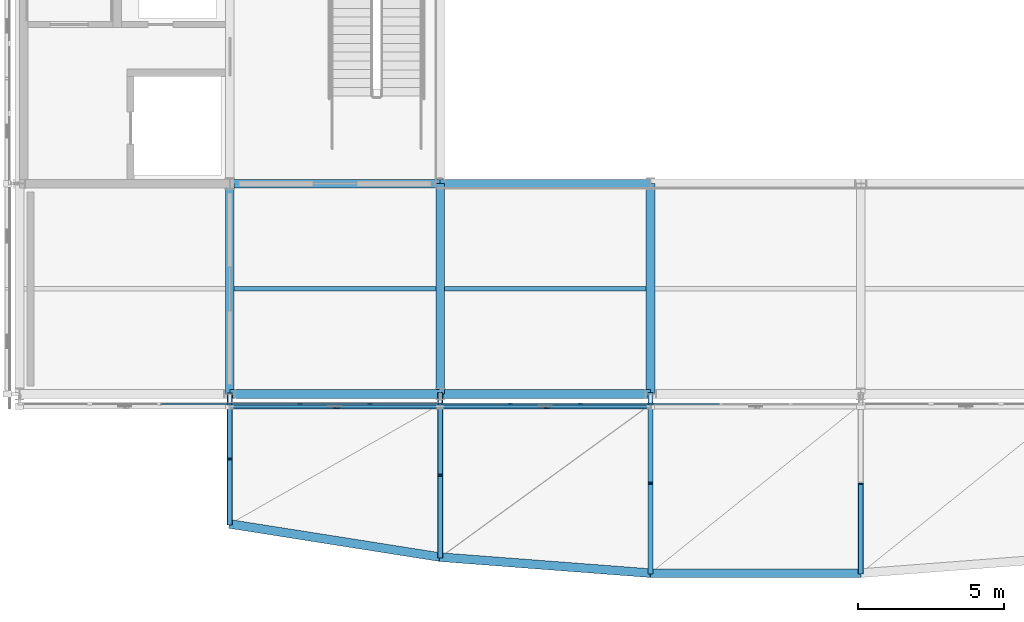
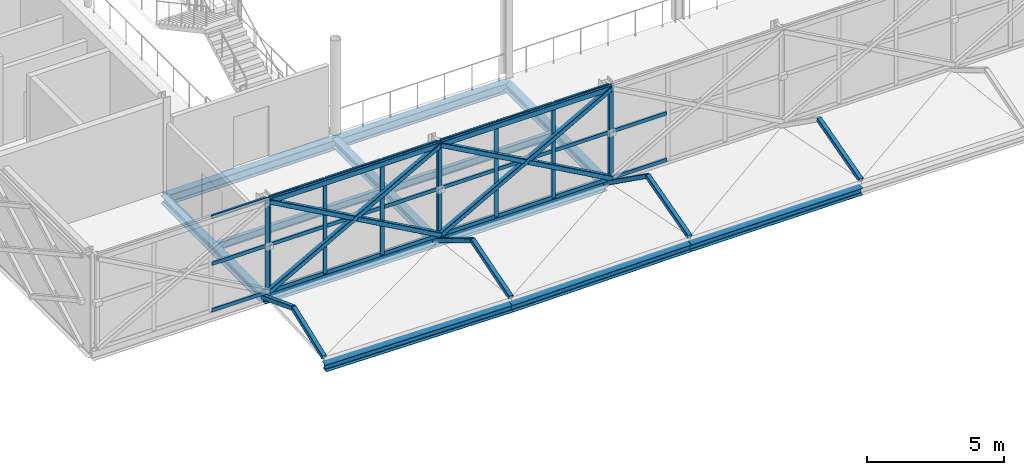
# One storey, part 38 of 146: 51 members, 9 beams, 4 elements without a shape of their own.
"""IFC4 building model written with IfcOpenShell, lengths in metres."""

import ifcopenshell
import ifcopenshell.guid

model = None  # the IFC model being written
_history = None  # IfcOwnerHistory: only IFC2X3 demands one
_inside = {}  # id of a spatial element -> (the spatial element, [elements in it])
_under = {}  # id of a project, library or spatial element -> (it, [spatial elements below it])
_declared = {}  # id of a project -> (the project, [libraries it declares])
_typed = {}  # id of a type object -> (the type object, [elements of that type])
_made_of = {}  # id of a material, layer set ... -> (it, [elements and type objects made of it])


def new_model(schema):
    """Start an empty IFC model of exactly this schema.

    Asked for "IFC4X3", IfcOpenShell would pick the latest addendum, in which some entities
    have other attributes; the version numbers below select the first issue.
    IFC2X3 requires an IfcOwnerHistory on every rooted entity: one is made here for all.
    """
    global model, _history
    if schema == "IFC4X3":
        model = ifcopenshell.file(schema_version=(4, 3, 0, 0))
    else:
        model = ifcopenshell.file(schema=schema)
    _inside.clear()
    _under.clear()
    _declared.clear()
    _typed.clear()
    _made_of.clear()
    _history = None
    if model.schema == "IFC2X3":
        org = make("IfcOrganization", Name="unknown")
        user = make(
            "IfcPersonAndOrganization",
            ThePerson=make("IfcPerson", FamilyName="unknown"),
            TheOrganization=org,
        )
        app = make(
            "IfcApplication",
            ApplicationDeveloper=org,
            Version="unknown",
            ApplicationFullName="unknown",
            ApplicationIdentifier="unknown",
        )
        _history = make(
            "IfcOwnerHistory",
            OwningUser=user,
            OwningApplication=app,
            ChangeAction="ADDED",
            CreationDate=0,
        )
    return model


def make(cls, **values):
    """One entity of the class cls with the attributes given. An attribute that is None is left unset."""
    return model.create_entity(
        cls, **{name: value for name, value in values.items() if value is not None}
    )


def rooted(cls, **values):
    """An entity with a GlobalId (a new one), such as an element, a storey or a relation."""
    return make(cls, GlobalId=ifcopenshell.guid.new(), OwnerHistory=_history, **values)


def si_unit(unit_type, name, prefix=None):
    """IfcSIUnit, for example si_unit("LENGTHUNIT", "METRE", prefix="MILLI")."""
    return make("IfcSIUnit", UnitType=unit_type, Prefix=prefix, Name=name)


def assignment(units):
    """IfcUnitAssignment: the units of a project."""
    return None if units is None else make("IfcUnitAssignment", Units=units)


def point(xyz):
    """IfcCartesianPoint."""
    return None if xyz is None else make("IfcCartesianPoint", Coordinates=xyz)


def direction(xyz):
    """IfcDirection."""
    return None if xyz is None else make("IfcDirection", DirectionRatios=xyz)


def frame(location, z_axis=None, x_axis=None):
    """IfcAxis2Placement3D, a coordinate frame: its origin and axes. An axis left out is left unset."""
    return make(
        "IfcAxis2Placement3D",
        Location=point(location),
        Axis=direction(z_axis),
        RefDirection=direction(x_axis),
    )


def frame_2d(location, x_axis=None):
    """IfcAxis2Placement2D, a coordinate frame in the plane: its origin and x axis."""
    return make(
        "IfcAxis2Placement2D", Location=point(location), RefDirection=direction(x_axis)
    )


def origin():
    """The frame at (0, 0, 0) with its axes left unset."""
    return frame((0.0, 0.0, 0.0))


def origin_2d():
    """The frame at (0, 0) in the plane with its x axis left unset."""
    return frame_2d((0.0, 0.0))


def place(relative_to, where):
    """IfcLocalPlacement: puts the frame where relative to a parent placement (None: the world)."""
    return make(
        "IfcLocalPlacement", PlacementRelTo=relative_to, RelativePlacement=where
    )


def context(
    kind, dimensions, precision=None, world=None, true_north=None, identifier=None
):
    """IfcGeometricRepresentationContext, for example the 3D "Model" context."""
    return make(
        "IfcGeometricRepresentationContext",
        ContextIdentifier=identifier,
        ContextType=kind,
        CoordinateSpaceDimension=dimensions,
        Precision=precision,
        WorldCoordinateSystem=world,
        TrueNorth=true_north,
    )


def subcontext(parent, identifier, kind, view, scale=None):
    """IfcGeometricRepresentationSubContext, for example "Body" below "Model"."""
    return make(
        "IfcGeometricRepresentationSubContext",
        ContextIdentifier=identifier,
        ContextType=kind,
        ParentContext=parent,
        TargetScale=scale,
        TargetView=view,
    )


def project(units=None, contexts=None):
    """IfcProject with its units and contexts."""
    return rooted(
        "IfcProject",
        Name="project",
        RepresentationContexts=contexts,
        UnitsInContext=assignment(units),
    )


def spatial(cls, under=None, at=None, **own):
    """A site, building, storey or space (cls), placed at a placement, below another one or the project."""
    s = rooted(cls, ObjectPlacement=at, **own)
    if under is not None:
        _under.setdefault(under.id(), (under, []))[1].append(s)
    return s


def profile(cls, at=None, kind="AREA", **sizes):
    """A parametric profile (cls). Its sizes go by their IFC names, for example OverallWidth=200.0."""
    return make(cls, ProfileType=kind, Position=at, **sizes)


def rectangle(**sizes):
    """IfcRectangleProfileDef."""
    return profile("IfcRectangleProfileDef", **sizes)


def hollow_rectangle(**sizes):
    """IfcRectangleHollowProfileDef."""
    return profile("IfcRectangleHollowProfileDef", **sizes)


def i_section(**sizes):
    """IfcIShapeProfileDef."""
    return profile("IfcIShapeProfileDef", **sizes)


def extrude(swept, where, along, depth):
    """IfcExtrudedAreaSolid: the profile swept, set in the frame where, extruded along a direction by depth."""
    return make(
        "IfcExtrudedAreaSolid",
        SweptArea=swept,
        Position=where,
        ExtrudedDirection=direction(along),
        Depth=depth,
    )


def shape(context_of_items, identifier, shape_type, items):
    """IfcShapeRepresentation: the items that make up one representation, for example the "Body"."""
    return make(
        "IfcShapeRepresentation",
        ContextOfItems=context_of_items,
        RepresentationIdentifier=identifier,
        RepresentationType=shape_type,
        Items=items,
    )


def material(Name=None, Category=None):
    """IfcMaterial."""
    return make("IfcMaterial", Name=Name, Category=Category)


def material_profile(
    of_material, cross_section, Name=None, Category=None, Priority=None
):
    """IfcMaterialProfile: a cross section and its material."""
    return make(
        "IfcMaterialProfile",
        Name=Name,
        Material=of_material,
        Profile=cross_section,
        Priority=Priority,
        Category=Category,
    )


def profile_set(profiles, Name=None, composite=None):
    """IfcMaterialProfileSet."""
    return make(
        "IfcMaterialProfileSet",
        Name=Name,
        MaterialProfiles=profiles,
        CompositeProfile=composite,
    )


def made_of(thing, what):
    """Note that an element or type object is made of a material, layer set ...; save() writes the relation."""
    if what is not None:
        _made_of.setdefault(what.id(), (what, []))[1].append(thing)
    return thing


def type_object(cls, material=None, **own):
    """A type object (cls), such as IfcWallType, which elements share."""
    return made_of(rooted(cls, **own), material)


def element(
    cls,
    number,
    at=None,
    inside=None,
    cuts=None,
    type_object=None,
    material=None,
    context=None,
    identifier="Body",
    shape_type=None,
    held_by="IfcProductDefinitionShape",
    body=None,
    shapes=None,
    **own,
):
    """One element of the class cls, such as IfcWall. Its Tag is "e" and its number.

    at: its placement. inside: the storey or other place that contains it. cuts: it is an
    opening in that element (IfcRelVoidsElement). A single representation is given by context,
    identifier, shape_type and body (its items); several are given by shapes. held_by: the class
    of the entity that holds the representations. save() writes the other relations.
    """
    e = rooted(cls, Tag="e%d" % number, ObjectPlacement=at, **own)
    if body is not None:
        shapes = [shape(context, identifier, shape_type, body)]
    if shapes is not None:
        e.Representation = make(held_by, Representations=shapes)
    if inside is not None:
        _inside.setdefault(inside.id(), (inside, []))[1].append(e)
    if cuts is not None:
        rooted(
            "IfcRelVoidsElement", RelatingBuildingElement=cuts, RelatedOpeningElement=e
        )
    if type_object is not None:
        _typed.setdefault(type_object.id(), (type_object, []))[1].append(e)
    return made_of(e, material)


def aggregate(whole, parts):
    """IfcRelAggregates: a whole, such as a stair, and the parts it consists of."""
    return rooted("IfcRelAggregates", RelatingObject=whole, RelatedObjects=parts)


def save(model, path):
    """Write the relations noted so far, then the file.

    IfcRelAggregates (storeys below a building ...), IfcRelContainedInSpatialStructure (elements
    in a storey), IfcRelDefinesByType, IfcRelAssociatesMaterial and IfcRelDeclares: one each for
    every whole, place, type object, material and project.
    """
    for whole, parts in _under.values():
        aggregate(whole, parts)
    for where, things in _inside.values():
        rooted(
            "IfcRelContainedInSpatialStructure",
            RelatedElements=things,
            RelatingStructure=where,
        )
    for kind, things in _typed.values():
        rooted("IfcRelDefinesByType", RelatedObjects=things, RelatingType=kind)
    for what, things in _made_of.values():
        rooted("IfcRelAssociatesMaterial", RelatedObjects=things, RelatingMaterial=what)
    for by, libraries in _declared.values():
        rooted("IfcRelDeclares", RelatingContext=by, RelatedDefinitions=libraries)
    model.write(path)


model = new_model("IFC4")

# Units and contexts
model_context = context("Model", 3, precision=1e-05, world=origin(), true_north=direction((0.0, 1.0)))
body_context = subcontext(model_context, "Body", "Model", "MODEL_VIEW")
ifc_project = project(units=[si_unit("LENGTHUNIT", "METRE"), si_unit("AREAUNIT", "SQUARE_METRE"), si_unit("VOLUMEUNIT", "CUBIC_METRE"), si_unit("PLANEANGLEUNIT", "RADIAN"), si_unit("MASSUNIT", "GRAM", prefix="KILO")], contexts=[model_context])

# Site, building, storey
site_placement = place(None, origin())
site = spatial("IfcSite", under=ifc_project, at=site_placement, CompositionType="ELEMENT")
building_placement = place(site_placement, origin())
building = spatial("IfcBuilding", under=site, at=building_placement, Name="Zlatovets Crest Museum", CompositionType="ELEMENT")
storey_placement = place(building_placement, frame((0.0, 0.0, 4.5)))
storey = spatial("IfcBuildingStorey", under=building, at=storey_placement, Name="L01", CompositionType="ELEMENT", Elevation=4.5)

# Beams
ifc_material_1 = material(Name="Structural steel S355J2", Category="steel")
ifc_material_profile_1 = material_profile(ifc_material_1, i_section(OverallWidth=0.300048828125, OverallDepth=0.35009765625, WebThickness=0.010009765625, FlangeThickness=0.017578125, FilletRadius=0.027099609375, at=origin_2d()), Name="HEA 360")
ifc_profile_set_1 = profile_set([ifc_material_profile_1], Name="Structural steel S355J2")
beam_type_1 = type_object("IfcBeamType", Name="Beam_B-03", PredefinedType="BEAM", material=ifc_profile_set_1)
for number, where, z_axis, x_axis, name in (
    (1, (64.800048828125, 0.0, -0.39501953125), (0.0, 1.0, 0.0), (-1.0, 0.0, 0.0), "V2 L01 Grid Beam B-03"),
    (2, (72.0, 0.0, -0.39501953125), (0.0, 1.0, 0.0), (-1.0, 0.0, 0.0), "V2 L01 Grid Beam B-03"),
    (3, (79.199951171875, 0.0, -0.39501953125), (0.0, 1.0, 0.0), (-1.0, 0.0, 0.0), "V2 L01 Grid Beam B-03"),
):
    element("IfcBeam", number, at=place(storey_placement, frame(where, z_axis=z_axis, x_axis=x_axis)), inside=storey, type_object=beam_type_1, Name=name, PredefinedType="BEAM", context=body_context, shape_type="SweptSolid", body=[
        extrude(i_section(OverallWidth=0.300048828125, OverallDepth=0.35009765625, WebThickness=0.010009765625, FlangeThickness=0.017578125, FilletRadius=0.027099609375, at=origin_2d()), origin(), (0.0, 0.0, 1.0), 7.199951171875),
    ])
ifc_material_profile_2 = material_profile(ifc_material_1, i_section(OverallWidth=0.300048828125, OverallDepth=0.43994140625, WebThickness=0.011474609375, FlangeThickness=0.02099609375, FilletRadius=0.027099609375, at=origin_2d()), Name="HEA 450")
ifc_profile_set_2 = profile_set([ifc_material_profile_2], Name="Structural steel S355J2")
beam_type_2 = type_object("IfcBeamType", Name="Beam_B-10", PredefinedType="BEAM", material=ifc_profile_set_2)
for number, where, z_axis, x_axis, name in (
    (4, (64.800048828125, 0.0, -0.43994140625), (1.0, 0.0, 0.0), (0.0, 1.0, 0.0), "V2 L01 Primary Girder B-10"),
    (5, (72.0, 0.0, -0.43994140625), (1.0, 0.0, 0.0), (0.0, 1.0, 0.0), "V2 L01 Primary Girder B-10"),
    (6, (64.800048828125, 7.199951171875, -0.43994140625), (1.0, 0.0, 0.0), (0.0, 1.0, 0.0), "V2 L01 Primary Girder B-10"),
    (7, (72.0, 7.199951171875, -0.43994140625), (1.0, 0.0, 0.0), (0.0, 1.0, 0.0), "V2 L01 Primary Girder B-10"),
):
    element("IfcBeam", number, at=place(storey_placement, frame(where, z_axis=z_axis, x_axis=x_axis)), inside=storey, type_object=beam_type_2, Name=name, PredefinedType="BEAM", context=body_context, shape_type="SweptSolid", body=[
        extrude(i_section(OverallWidth=0.300048828125, OverallDepth=0.43994140625, WebThickness=0.011474609375, FlangeThickness=0.02099609375, FilletRadius=0.027099609375, at=origin_2d()), origin(), (0.0, 0.0, 1.0), 7.199951171875),
    ])
ifc_material_profile_3 = material_profile(ifc_material_1, i_section(OverallWidth=0.159912109375, OverallDepth=0.330078125, WebThickness=0.007568359375, FlangeThickness=0.011474609375, FilletRadius=0.01806640625, at=origin_2d()), Name="IPE 330")
ifc_profile_set_3 = profile_set([ifc_material_profile_3], Name="Structural steel S355J2")
beam_type_3 = type_object("IfcBeamType", Name="Beam_J-09", PredefinedType="JOIST", material=ifc_profile_set_3)
for number, where, z_axis, x_axis, name in (
    (8, (64.949951171875, 3.60009765625, -0.385009765625), (1.0, 0.0, 0.0), (0.0, 1.0, 0.0), "V2 L01 Composite Joist J-09"),
    (9, (72.14990234375, 3.60009765625, -0.385009765625), (1.0, 0.0, 0.0), (0.0, 1.0, 0.0), "V2 L01 Composite Joist J-09"),
):
    element("IfcBeam", number, at=place(storey_placement, frame(where, z_axis=z_axis, x_axis=x_axis)), inside=storey, type_object=beam_type_3, Name=name, PredefinedType="JOIST", context=body_context, shape_type="SweptSolid", body=[
        extrude(i_section(OverallWidth=0.159912109375, OverallDepth=0.330078125, WebThickness=0.007568359375, FlangeThickness=0.011474609375, FilletRadius=0.01806640625, at=origin_2d()), origin(), (0.0, 0.0, 1.0), 6.900146484375),
    ])

# Curtain wall, member
ifc_material_2 = material(Name="Bronze-anodised aluminium and low-E triple glass", Category="aluminium")
curtain_wall_type_1 = type_object("IfcCurtainWallType", Name="CW_CW-V2-L01-M0", PredefinedType="NOTDEFINED", material=ifc_material_2)
curtain_wall_1_placement = place(storey_placement, origin())
curtain_wall_1 = element("IfcCurtainWall", 10, at=curtain_wall_1_placement, inside=storey, type_object=curtain_wall_type_1, Name="V2 L01 Secession Foyer Clear Curtain Wall", PredefinedType="NOTDEFINED")
ifc_material_3 = material(Name="Bronze-anodised aluminium EN AW-6060", Category="aluminium")
ifc_material_profile_4 = material_profile(ifc_material_3, rectangle(XDim=0.080078125, YDim=0.159912109375, at=origin_2d()), Name="ALU 80x160")
ifc_profile_set_4 = profile_set([ifc_material_profile_4], Name="Bronze-anodised aluminium EN AW-6060")
member_type_1 = type_object("IfcMemberType", Name="CWMull_M1", PredefinedType="MULLION", material=ifc_profile_set_4)
member_1_placement = place(storey_placement, frame((64.77001953125, -0.340087890625, 0.0), z_axis=(0.0, 0.0, 1.0), x_axis=(0.0, 1.0, 0.0)))
member_1 = element("IfcMember", 11, at=member_1_placement, type_object=member_type_1, Name="CW-V2-L01-M0 mullion 4", PredefinedType="MULLION", context=body_context, shape_type="SweptSolid", body=[
    extrude(rectangle(XDim=0.080078125, YDim=0.159912109375, at=origin_2d()), origin(), (0.0, 0.0, 1.0), 4.199951171875),
])

# Curtain wall, members
curtain_wall_type_2 = type_object("IfcCurtainWallType", Name="CW_CW-V2-L01-M1", PredefinedType="NOTDEFINED", material=ifc_material_2)
curtain_wall_2_placement = place(storey_placement, origin())
curtain_wall_2 = element("IfcCurtainWall", 12, at=curtain_wall_2_placement, inside=storey, type_object=curtain_wall_type_2, Name="V2 L01 Secession Foyer Clear Curtain Wall", PredefinedType="NOTDEFINED")
member_2_placement = place(storey_placement, frame((64.830078125, -0.340087890625, 0.0), z_axis=(0.0, 0.0, 1.0), x_axis=(0.0, 1.0, 0.0)))
member_2 = element("IfcMember", 13, at=member_2_placement, type_object=member_type_1, Name="CW-V2-L01-M1 mullion 1", PredefinedType="MULLION", context=body_context, shape_type="SweptSolid", body=[
    extrude(rectangle(XDim=0.080078125, YDim=0.159912109375, at=origin_2d()), origin(), (0.0, 0.0, 1.0), 4.199951171875),
])
member_3_placement = place(storey_placement, frame((67.199951171875, -0.340087890625, 0.0), z_axis=(0.0, 0.0, 1.0), x_axis=(0.0, 1.0, 0.0)))
member_3 = element("IfcMember", 14, at=member_3_placement, type_object=member_type_1, Name="CW-V2-L01-M1 mullion 2", PredefinedType="MULLION", context=body_context, shape_type="SweptSolid", body=[
    extrude(rectangle(XDim=0.080078125, YDim=0.159912109375, at=origin_2d()), origin(), (0.0, 0.0, 1.0), 4.199951171875),
])
member_4_placement = place(storey_placement, frame((69.60009765625, -0.340087890625, 0.0), z_axis=(0.0, 0.0, 1.0), x_axis=(0.0, 1.0, 0.0)))
member_4 = element("IfcMember", 15, at=member_4_placement, type_object=member_type_1, Name="CW-V2-L01-M1 mullion 3", PredefinedType="MULLION", context=body_context, shape_type="SweptSolid", body=[
    extrude(rectangle(XDim=0.080078125, YDim=0.159912109375, at=origin_2d()), origin(), (0.0, 0.0, 1.0), 4.199951171875),
])
member_5_placement = place(storey_placement, frame((71.969970703125, -0.340087890625, 0.0), z_axis=(0.0, 0.0, 1.0), x_axis=(0.0, 1.0, 0.0)))
member_5 = element("IfcMember", 16, at=member_5_placement, type_object=member_type_1, Name="CW-V2-L01-M1 mullion 4", PredefinedType="MULLION", context=body_context, shape_type="SweptSolid", body=[
    extrude(rectangle(XDim=0.080078125, YDim=0.159912109375, at=origin_2d()), origin(), (0.0, 0.0, 1.0), 4.199951171875),
])

curtain_wall_type_3 = type_object("IfcCurtainWallType", Name="CW_CW-V2-L01-M2", PredefinedType="NOTDEFINED", material=ifc_material_2)
curtain_wall_3_placement = place(storey_placement, origin())
curtain_wall_3 = element("IfcCurtainWall", 17, at=curtain_wall_3_placement, inside=storey, type_object=curtain_wall_type_3, Name="V2 L01 Secession Foyer Clear Curtain Wall", PredefinedType="NOTDEFINED")
member_6_placement = place(storey_placement, frame((72.030029296875, -0.340087890625, 0.0), z_axis=(0.0, 0.0, 1.0), x_axis=(0.0, 1.0, 0.0)))
member_6 = element("IfcMember", 18, at=member_6_placement, type_object=member_type_1, Name="CW-V2-L01-M2 mullion 1", PredefinedType="MULLION", context=body_context, shape_type="SweptSolid", body=[
    extrude(rectangle(XDim=0.080078125, YDim=0.159912109375, at=origin_2d()), origin(), (0.0, 0.0, 1.0), 4.199951171875),
])
member_7_placement = place(storey_placement, frame((74.39990234375, -0.340087890625, 0.0), z_axis=(0.0, 0.0, 1.0), x_axis=(0.0, 1.0, 0.0)))
member_7 = element("IfcMember", 19, at=member_7_placement, type_object=member_type_1, Name="CW-V2-L01-M2 mullion 2", PredefinedType="MULLION", context=body_context, shape_type="SweptSolid", body=[
    extrude(rectangle(XDim=0.080078125, YDim=0.159912109375, at=origin_2d()), origin(), (0.0, 0.0, 1.0), 4.199951171875),
])
member_8_placement = place(storey_placement, frame((76.800048828125, -0.340087890625, 0.0), z_axis=(0.0, 0.0, 1.0), x_axis=(0.0, 1.0, 0.0)))
member_8 = element("IfcMember", 20, at=member_8_placement, type_object=member_type_1, Name="CW-V2-L01-M2 mullion 3", PredefinedType="MULLION", context=body_context, shape_type="SweptSolid", body=[
    extrude(rectangle(XDim=0.080078125, YDim=0.159912109375, at=origin_2d()), origin(), (0.0, 0.0, 1.0), 4.199951171875),
])
member_9_placement = place(storey_placement, frame((79.169921875, -0.340087890625, 0.0), z_axis=(0.0, 0.0, 1.0), x_axis=(0.0, 1.0, 0.0)))
member_9 = element("IfcMember", 21, at=member_9_placement, type_object=member_type_1, Name="CW-V2-L01-M2 mullion 4", PredefinedType="MULLION", context=body_context, shape_type="SweptSolid", body=[
    extrude(rectangle(XDim=0.080078125, YDim=0.159912109375, at=origin_2d()), origin(), (0.0, 0.0, 1.0), 4.199951171875),
])

# Curtain wall, member
curtain_wall_type_4 = type_object("IfcCurtainWallType", Name="CW_CW-V2-L01-M3", PredefinedType="NOTDEFINED", material=ifc_material_2)
curtain_wall_4_placement = place(storey_placement, origin())
curtain_wall_4 = element("IfcCurtainWall", 22, at=curtain_wall_4_placement, inside=storey, type_object=curtain_wall_type_4, Name="V2 L01 Secession Foyer Clear Curtain Wall", PredefinedType="NOTDEFINED")
member_10_placement = place(storey_placement, frame((79.22998046875, -0.340087890625, 0.0), z_axis=(0.0, 0.0, 1.0), x_axis=(0.0, 1.0, 0.0)))
member_10 = element("IfcMember", 23, at=member_10_placement, type_object=member_type_1, Name="CW-V2-L01-M3 mullion 1", PredefinedType="MULLION", context=body_context, shape_type="SweptSolid", body=[
    extrude(rectangle(XDim=0.080078125, YDim=0.159912109375, at=origin_2d()), origin(), (0.0, 0.0, 1.0), 4.199951171875),
])

# Member
ifc_material_profile_5 = material_profile(ifc_material_3, rectangle(XDim=0.080078125, YDim=0.159912109375, at=origin_2d()), Name="ALU 80x160")
ifc_profile_set_5 = profile_set([ifc_material_profile_5], Name="Bronze-anodised aluminium EN AW-6060")
member_type_2 = type_object("IfcMemberType", Name="CWTrans_T1", PredefinedType="USERDEFINED", material=ifc_profile_set_5)
member_11_placement = place(storey_placement, frame((62.429931640625, -0.340087890625, 0.030029296875), z_axis=(1.0, 0.0, 0.0), x_axis=(0.0, 1.0, 0.0)))
member_11 = element("IfcMember", 24, at=member_11_placement, type_object=member_type_2, Name="CW-V2-L01-M0 transom 3.1", ObjectType="TRANSOM", PredefinedType="USERDEFINED", context=body_context, shape_type="SweptSolid", body=[
    extrude(rectangle(XDim=0.080078125, YDim=0.159912109375, at=origin_2d()), origin(), (0.0, 0.0, 1.0), 2.31005859375),
])

member_12_placement = place(storey_placement, frame((62.429931640625, -0.340087890625, 2.10009765625), z_axis=(1.0, 0.0, 0.0), x_axis=(0.0, 1.0, 0.0)))
member_12 = element("IfcMember", 25, at=member_12_placement, type_object=member_type_2, Name="CW-V2-L01-M0 transom 3.2", ObjectType="TRANSOM", PredefinedType="USERDEFINED", context=body_context, shape_type="SweptSolid", body=[
    extrude(rectangle(XDim=0.080078125, YDim=0.159912109375, at=origin_2d()), origin(), (0.0, 0.0, 1.0), 2.31005859375),
])

member_13_placement = place(storey_placement, frame((62.429931640625, -0.340087890625, 4.169921875), z_axis=(1.0, 0.0, 0.0), x_axis=(0.0, 1.0, 0.0)))
member_13 = element("IfcMember", 26, at=member_13_placement, type_object=member_type_2, Name="CW-V2-L01-M0 transom 3.3", ObjectType="TRANSOM", PredefinedType="USERDEFINED", context=body_context, shape_type="SweptSolid", body=[
    extrude(rectangle(XDim=0.080078125, YDim=0.159912109375, at=origin_2d()), origin(), (0.0, 0.0, 1.0), 2.31005859375),
])

aggregate(curtain_wall_1, [member_1, member_11, member_12, member_13])

member_14_placement = place(storey_placement, frame((64.860107421875, -0.340087890625, 0.030029296875), z_axis=(1.0, 0.0, 0.0), x_axis=(0.0, 1.0, 0.0)))
member_14 = element("IfcMember", 27, at=member_14_placement, type_object=member_type_2, Name="CW-V2-L01-M1 transom 1.1", ObjectType="TRANSOM", PredefinedType="USERDEFINED", context=body_context, shape_type="SweptSolid", body=[
    extrude(rectangle(XDim=0.080078125, YDim=0.159912109375, at=origin_2d()), origin(), (0.0, 0.0, 1.0), 2.309814453125),
])

member_15_placement = place(storey_placement, frame((64.860107421875, -0.340087890625, 2.10009765625), z_axis=(1.0, 0.0, 0.0), x_axis=(0.0, 1.0, 0.0)))
member_15 = element("IfcMember", 28, at=member_15_placement, type_object=member_type_2, Name="CW-V2-L01-M1 transom 1.2", ObjectType="TRANSOM", PredefinedType="USERDEFINED", context=body_context, shape_type="SweptSolid", body=[
    extrude(rectangle(XDim=0.080078125, YDim=0.159912109375, at=origin_2d()), origin(), (0.0, 0.0, 1.0), 2.309814453125),
])

member_16_placement = place(storey_placement, frame((64.860107421875, -0.340087890625, 4.169921875), z_axis=(1.0, 0.0, 0.0), x_axis=(0.0, 1.0, 0.0)))
member_16 = element("IfcMember", 29, at=member_16_placement, type_object=member_type_2, Name="CW-V2-L01-M1 transom 1.3", ObjectType="TRANSOM", PredefinedType="USERDEFINED", context=body_context, shape_type="SweptSolid", body=[
    extrude(rectangle(XDim=0.080078125, YDim=0.159912109375, at=origin_2d()), origin(), (0.0, 0.0, 1.0), 2.309814453125),
])

member_17_placement = place(storey_placement, frame((67.22998046875, -0.340087890625, 0.030029296875), z_axis=(1.0, 0.0, 0.0), x_axis=(0.0, 1.0, 0.0)))
member_17 = element("IfcMember", 30, at=member_17_placement, type_object=member_type_2, Name="CW-V2-L01-M1 transom 2.1", ObjectType="TRANSOM", PredefinedType="USERDEFINED", context=body_context, shape_type="SweptSolid", body=[
    extrude(rectangle(XDim=0.080078125, YDim=0.159912109375, at=origin_2d()), origin(), (0.0, 0.0, 1.0), 2.340087890625),
])

member_18_placement = place(storey_placement, frame((67.22998046875, -0.340087890625, 2.10009765625), z_axis=(1.0, 0.0, 0.0), x_axis=(0.0, 1.0, 0.0)))
member_18 = element("IfcMember", 31, at=member_18_placement, type_object=member_type_2, Name="CW-V2-L01-M1 transom 2.2", ObjectType="TRANSOM", PredefinedType="USERDEFINED", context=body_context, shape_type="SweptSolid", body=[
    extrude(rectangle(XDim=0.080078125, YDim=0.159912109375, at=origin_2d()), origin(), (0.0, 0.0, 1.0), 2.340087890625),
])

member_19_placement = place(storey_placement, frame((67.22998046875, -0.340087890625, 4.169921875), z_axis=(1.0, 0.0, 0.0), x_axis=(0.0, 1.0, 0.0)))
member_19 = element("IfcMember", 32, at=member_19_placement, type_object=member_type_2, Name="CW-V2-L01-M1 transom 2.3", ObjectType="TRANSOM", PredefinedType="USERDEFINED", context=body_context, shape_type="SweptSolid", body=[
    extrude(rectangle(XDim=0.080078125, YDim=0.159912109375, at=origin_2d()), origin(), (0.0, 0.0, 1.0), 2.340087890625),
])

member_20_placement = place(storey_placement, frame((69.6298828125, -0.340087890625, 0.030029296875), z_axis=(1.0, 0.0, 0.0), x_axis=(0.0, 1.0, 0.0)))
member_20 = element("IfcMember", 33, at=member_20_placement, type_object=member_type_2, Name="CW-V2-L01-M1 transom 3.1", ObjectType="TRANSOM", PredefinedType="USERDEFINED", context=body_context, shape_type="SweptSolid", body=[
    extrude(rectangle(XDim=0.080078125, YDim=0.159912109375, at=origin_2d()), origin(), (0.0, 0.0, 1.0), 2.31005859375),
])

member_21_placement = place(storey_placement, frame((69.6298828125, -0.340087890625, 2.10009765625), z_axis=(1.0, 0.0, 0.0), x_axis=(0.0, 1.0, 0.0)))
member_21 = element("IfcMember", 34, at=member_21_placement, type_object=member_type_2, Name="CW-V2-L01-M1 transom 3.2", ObjectType="TRANSOM", PredefinedType="USERDEFINED", context=body_context, shape_type="SweptSolid", body=[
    extrude(rectangle(XDim=0.080078125, YDim=0.159912109375, at=origin_2d()), origin(), (0.0, 0.0, 1.0), 2.31005859375),
])

member_22_placement = place(storey_placement, frame((69.6298828125, -0.340087890625, 4.169921875), z_axis=(1.0, 0.0, 0.0), x_axis=(0.0, 1.0, 0.0)))
member_22 = element("IfcMember", 35, at=member_22_placement, type_object=member_type_2, Name="CW-V2-L01-M1 transom 3.3", ObjectType="TRANSOM", PredefinedType="USERDEFINED", context=body_context, shape_type="SweptSolid", body=[
    extrude(rectangle(XDim=0.080078125, YDim=0.159912109375, at=origin_2d()), origin(), (0.0, 0.0, 1.0), 2.31005859375),
])

aggregate(curtain_wall_2, [member_2, member_3, member_4, member_5, member_14, member_15, member_16, member_17, member_18, member_19, member_20, member_21, member_22])

member_23_placement = place(storey_placement, frame((72.06005859375, -0.340087890625, 0.030029296875), z_axis=(1.0, 0.0, 0.0), x_axis=(0.0, 1.0, 0.0)))
member_23 = element("IfcMember", 36, at=member_23_placement, type_object=member_type_2, Name="CW-V2-L01-M2 transom 1.1", ObjectType="TRANSOM", PredefinedType="USERDEFINED", context=body_context, shape_type="SweptSolid", body=[
    extrude(rectangle(XDim=0.080078125, YDim=0.159912109375, at=origin_2d()), origin(), (0.0, 0.0, 1.0), 2.31005859375),
])

member_24_placement = place(storey_placement, frame((72.06005859375, -0.340087890625, 2.10009765625), z_axis=(1.0, 0.0, 0.0), x_axis=(0.0, 1.0, 0.0)))
member_24 = element("IfcMember", 37, at=member_24_placement, type_object=member_type_2, Name="CW-V2-L01-M2 transom 1.2", ObjectType="TRANSOM", PredefinedType="USERDEFINED", context=body_context, shape_type="SweptSolid", body=[
    extrude(rectangle(XDim=0.080078125, YDim=0.159912109375, at=origin_2d()), origin(), (0.0, 0.0, 1.0), 2.31005859375),
])

member_25_placement = place(storey_placement, frame((72.06005859375, -0.340087890625, 4.169921875), z_axis=(1.0, 0.0, 0.0), x_axis=(0.0, 1.0, 0.0)))
member_25 = element("IfcMember", 38, at=member_25_placement, type_object=member_type_2, Name="CW-V2-L01-M2 transom 1.3", ObjectType="TRANSOM", PredefinedType="USERDEFINED", context=body_context, shape_type="SweptSolid", body=[
    extrude(rectangle(XDim=0.080078125, YDim=0.159912109375, at=origin_2d()), origin(), (0.0, 0.0, 1.0), 2.31005859375),
])

member_26_placement = place(storey_placement, frame((74.429931640625, -0.340087890625, 0.030029296875), z_axis=(1.0, 0.0, 0.0), x_axis=(0.0, 1.0, 0.0)))
member_26 = element("IfcMember", 39, at=member_26_placement, type_object=member_type_2, Name="CW-V2-L01-M2 transom 2.1", ObjectType="TRANSOM", PredefinedType="USERDEFINED", context=body_context, shape_type="SweptSolid", body=[
    extrude(rectangle(XDim=0.080078125, YDim=0.159912109375, at=origin_2d()), origin(), (0.0, 0.0, 1.0), 2.340087890625),
])

member_27_placement = place(storey_placement, frame((74.429931640625, -0.340087890625, 2.10009765625), z_axis=(1.0, 0.0, 0.0), x_axis=(0.0, 1.0, 0.0)))
member_27 = element("IfcMember", 40, at=member_27_placement, type_object=member_type_2, Name="CW-V2-L01-M2 transom 2.2", ObjectType="TRANSOM", PredefinedType="USERDEFINED", context=body_context, shape_type="SweptSolid", body=[
    extrude(rectangle(XDim=0.080078125, YDim=0.159912109375, at=origin_2d()), origin(), (0.0, 0.0, 1.0), 2.340087890625),
])

member_28_placement = place(storey_placement, frame((74.429931640625, -0.340087890625, 4.169921875), z_axis=(1.0, 0.0, 0.0), x_axis=(0.0, 1.0, 0.0)))
member_28 = element("IfcMember", 41, at=member_28_placement, type_object=member_type_2, Name="CW-V2-L01-M2 transom 2.3", ObjectType="TRANSOM", PredefinedType="USERDEFINED", context=body_context, shape_type="SweptSolid", body=[
    extrude(rectangle(XDim=0.080078125, YDim=0.159912109375, at=origin_2d()), origin(), (0.0, 0.0, 1.0), 2.340087890625),
])

member_29_placement = place(storey_placement, frame((76.830078125, -0.340087890625, 0.030029296875), z_axis=(1.0, 0.0, 0.0), x_axis=(0.0, 1.0, 0.0)))
member_29 = element("IfcMember", 42, at=member_29_placement, type_object=member_type_2, Name="CW-V2-L01-M2 transom 3.1", ObjectType="TRANSOM", PredefinedType="USERDEFINED", context=body_context, shape_type="SweptSolid", body=[
    extrude(rectangle(XDim=0.080078125, YDim=0.159912109375, at=origin_2d()), origin(), (0.0, 0.0, 1.0), 2.309814453125),
])

member_30_placement = place(storey_placement, frame((76.830078125, -0.340087890625, 2.10009765625), z_axis=(1.0, 0.0, 0.0), x_axis=(0.0, 1.0, 0.0)))
member_30 = element("IfcMember", 43, at=member_30_placement, type_object=member_type_2, Name="CW-V2-L01-M2 transom 3.2", ObjectType="TRANSOM", PredefinedType="USERDEFINED", context=body_context, shape_type="SweptSolid", body=[
    extrude(rectangle(XDim=0.080078125, YDim=0.159912109375, at=origin_2d()), origin(), (0.0, 0.0, 1.0), 2.309814453125),
])

member_31_placement = place(storey_placement, frame((76.830078125, -0.340087890625, 4.169921875), z_axis=(1.0, 0.0, 0.0), x_axis=(0.0, 1.0, 0.0)))
member_31 = element("IfcMember", 44, at=member_31_placement, type_object=member_type_2, Name="CW-V2-L01-M2 transom 3.3", ObjectType="TRANSOM", PredefinedType="USERDEFINED", context=body_context, shape_type="SweptSolid", body=[
    extrude(rectangle(XDim=0.080078125, YDim=0.159912109375, at=origin_2d()), origin(), (0.0, 0.0, 1.0), 2.309814453125),
])

aggregate(curtain_wall_3, [member_6, member_7, member_8, member_9, member_23, member_24, member_25, member_26, member_27, member_28, member_29, member_30, member_31])

member_32_placement = place(storey_placement, frame((79.260009765625, -0.340087890625, 0.030029296875), z_axis=(1.0, 0.0, 0.0), x_axis=(0.0, 1.0, 0.0)))
member_32 = element("IfcMember", 45, at=member_32_placement, type_object=member_type_2, Name="CW-V2-L01-M3 transom 1.1", ObjectType="TRANSOM", PredefinedType="USERDEFINED", context=body_context, shape_type="SweptSolid", body=[
    extrude(rectangle(XDim=0.080078125, YDim=0.159912109375, at=origin_2d()), origin(), (0.0, 0.0, 1.0), 2.31005859375),
])

member_33_placement = place(storey_placement, frame((79.260009765625, -0.340087890625, 2.10009765625), z_axis=(1.0, 0.0, 0.0), x_axis=(0.0, 1.0, 0.0)))
member_33 = element("IfcMember", 46, at=member_33_placement, type_object=member_type_2, Name="CW-V2-L01-M3 transom 1.2", ObjectType="TRANSOM", PredefinedType="USERDEFINED", context=body_context, shape_type="SweptSolid", body=[
    extrude(rectangle(XDim=0.080078125, YDim=0.159912109375, at=origin_2d()), origin(), (0.0, 0.0, 1.0), 2.31005859375),
])

aggregate(curtain_wall_4, [member_10, member_32, member_33])

# Members
ifc_material_4 = material(Name="Weathering bronze-steel S355J2W", Category="steel")
ifc_material_profile_6 = material_profile(ifc_material_4, hollow_rectangle(XDim=0.199951171875, YDim=0.199951171875, WallThickness=0.012451171875, InnerFilletRadius=0.012451171875, OuterFilletRadius=0.02490234375, at=origin_2d()), Name="SHS 200x200x12.5")
ifc_profile_set_6 = profile_set([ifc_material_profile_6], Name="Weathering bronze-steel S355J2W")
member_type_3 = type_object("IfcMemberType", Name="Lattice_XL-02", PredefinedType="BRACE", material=ifc_profile_set_6)
member_34_placement = place(storey_placement, frame((64.800048828125, -0.419921875, 0.10009765625), z_axis=(0.874155877937, 0.0, 0.485645447903), x_axis=(0.0, 1.0, 0.0)))
element("IfcMember", 47, at=member_34_placement, inside=storey, type_object=member_type_3, Name="Continuous Bronze Lattice Diagonal", PredefinedType="BRACE", context=body_context, shape_type="SweptSolid", body=[
    extrude(hollow_rectangle(XDim=0.199951171875, YDim=0.199951171875, WallThickness=0.012451171875, InnerFilletRadius=0.012451171875, OuterFilletRadius=0.02490234375, at=origin_2d()), origin(), (0.0, 0.0, 1.0), 8.236572265625),
])
member_35_placement = place(storey_placement, frame((64.800048828125, -0.419921875, 4.10009765625), z_axis=(0.874125788284, 0.0, -0.485699604958), x_axis=(0.0, 1.0, 0.0)))
element("IfcMember", 48, at=member_35_placement, inside=storey, type_object=member_type_3, Name="Split Crossing Bronze Lattice Diagonal Upper", PredefinedType="BRACE", context=body_context, shape_type="SweptSolid", body=[
    extrude(hollow_rectangle(XDim=0.199951171875, YDim=0.199951171875, WallThickness=0.012451171875, InnerFilletRadius=0.012451171875, OuterFilletRadius=0.02490234375, at=origin_2d()), origin(), (0.0, 0.0, 1.0), 4.023193359375),
])
member_36_placement = place(storey_placement, frame((68.48291015625, -0.419921875, 2.053955078125), z_axis=(0.874165862873, 0.0, -0.485627474703), x_axis=(0.0, 1.0, 0.0)))
element("IfcMember", 49, at=member_36_placement, inside=storey, type_object=member_type_3, Name="Split Crossing Bronze Lattice Diagonal Lower", PredefinedType="BRACE", context=body_context, shape_type="SweptSolid", body=[
    extrude(hollow_rectangle(XDim=0.199951171875, YDim=0.199951171875, WallThickness=0.012451171875, InnerFilletRadius=0.012451171875, OuterFilletRadius=0.02490234375, at=origin_2d()), origin(), (0.0, 0.0, 1.0), 4.0234375),
])
member_37_placement = place(storey_placement, frame((72.0, -0.419921875, 0.10009765625), z_axis=(0.874155877937, 0.0, 0.485645447903), x_axis=(0.0, 1.0, 0.0)))
element("IfcMember", 50, at=member_37_placement, inside=storey, type_object=member_type_3, Name="Continuous Bronze Lattice Diagonal", PredefinedType="BRACE", context=body_context, shape_type="SweptSolid", body=[
    extrude(hollow_rectangle(XDim=0.199951171875, YDim=0.199951171875, WallThickness=0.012451171875, InnerFilletRadius=0.012451171875, OuterFilletRadius=0.02490234375, at=origin_2d()), origin(), (0.0, 0.0, 1.0), 8.236572265625),
])
member_38_placement = place(storey_placement, frame((72.0, -0.419921875, 4.10009765625), z_axis=(0.874140102304, 0.0, -0.485673842763), x_axis=(0.0, 1.0, 0.0)))
element("IfcMember", 51, at=member_38_placement, inside=storey, type_object=member_type_3, Name="Split Crossing Bronze Lattice Diagonal Upper", PredefinedType="BRACE", context=body_context, shape_type="SweptSolid", body=[
    extrude(hollow_rectangle(XDim=0.199951171875, YDim=0.199951171875, WallThickness=0.012451171875, InnerFilletRadius=0.012451171875, OuterFilletRadius=0.02490234375, at=origin_2d()), origin(), (0.0, 0.0, 1.0), 4.0234375),
])
member_39_placement = place(storey_placement, frame((75.68310546875, -0.419921875, 2.053955078125), z_axis=(0.874151551165, 0.0, -0.485653235958), x_axis=(0.0, 1.0, 0.0)))
element("IfcMember", 52, at=member_39_placement, inside=storey, type_object=member_type_3, Name="Split Crossing Bronze Lattice Diagonal Lower", PredefinedType="BRACE", context=body_context, shape_type="SweptSolid", body=[
    extrude(hollow_rectangle(XDim=0.199951171875, YDim=0.199951171875, WallThickness=0.012451171875, InnerFilletRadius=0.012451171875, OuterFilletRadius=0.02490234375, at=origin_2d()), origin(), (0.0, 0.0, 1.0), 4.023193359375),
])
ifc_material_profile_7 = material_profile(ifc_material_4, hollow_rectangle(XDim=0.1201171875, YDim=0.239990234375, WallThickness=0.010009765625, InnerFilletRadius=0.010009765625, OuterFilletRadius=0.02001953125, at=origin_2d()), Name="RHS 120x240x10.0")
ifc_profile_set_7 = profile_set([ifc_material_profile_7], Name="Weathering bronze-steel S355J2W")
member_type_4 = type_object("IfcMemberType", Name="Lattice_XL-04", PredefinedType="CHORD", material=ifc_profile_set_7)
for number, where, z_axis, x_axis, name in (
    (53, (64.800048828125, -0.419921875, 4.10009765625), (1.0, 0.0, 0.0), (0.0, 1.0, 0.0), "Art Nouveau Woven Cage Collector Ring Chord"),
    (54, (72.0, -0.419921875, 4.10009765625), (1.0, 0.0, 0.0), (0.0, 1.0, 0.0), "Art Nouveau Woven Cage Collector Ring Chord"),
):
    element("IfcMember", number, at=place(storey_placement, frame(where, z_axis=z_axis, x_axis=x_axis)), inside=storey, type_object=member_type_4, Name=name, PredefinedType="CHORD", context=body_context, shape_type="SweptSolid", body=[
        extrude(hollow_rectangle(XDim=0.1201171875, YDim=0.239990234375, WallThickness=0.010009765625, InnerFilletRadius=0.010009765625, OuterFilletRadius=0.02001953125, at=origin_2d()), origin(), (0.0, 0.0, 1.0), 7.199951171875),
    ])
ifc_material_profile_8 = material_profile(ifc_material_1, i_section(OverallWidth=0.300048828125, OverallDepth=0.31005859375, WebThickness=0.009033203125, FlangeThickness=0.015380859375, FilletRadius=0.027099609375, at=origin_2d()), Name="HEA 320")
ifc_profile_set_8 = profile_set([ifc_material_profile_8], Name="Structural steel S355J2")
member_type_5 = type_object("IfcMemberType", Name="Member_TM-02", PredefinedType="RAFTER", material=ifc_profile_set_8)
member_40_placement = place(storey_placement, frame((64.800048828125, -4.448486328125, -0.820068359375), z_axis=(0.981539020868, -0.154897514602, 0.112195857697), x_axis=(0.155881734388, 0.987775726005, 0.0)))
element("IfcMember", 55, at=member_40_placement, inside=storey, type_object=member_type_5, Name="Art Nouveau Curved Marquee Arch Fascia", PredefinedType="RAFTER", context=body_context, shape_type="SweptSolid", body=[
    extrude(i_section(OverallWidth=0.300048828125, OverallDepth=0.31005859375, WebThickness=0.009033203125, FlangeThickness=0.015380859375, FilletRadius=0.027099609375, at=origin_2d()), origin(), (0.0, 0.0, 1.0), 7.33544921875),
])
member_41_placement = place(storey_placement, frame((72.0, -5.584716796875, 0.0029296875), z_axis=(0.994656377471, -0.075650681722, 0.070254288911), x_axis=(0.075838068884, 0.997120146877, 0.0)))
element("IfcMember", 56, at=member_41_placement, inside=storey, type_object=member_type_5, Name="Art Nouveau Curved Marquee Arch Fascia", PredefinedType="RAFTER", context=body_context, shape_type="SweptSolid", body=[
    extrude(i_section(OverallWidth=0.300048828125, OverallDepth=0.31005859375, WebThickness=0.009033203125, FlangeThickness=0.015380859375, FilletRadius=0.027099609375, at=origin_2d()), origin(), (0.0, 0.0, 1.0), 7.238525390625),
])
member_42_placement = place(storey_placement, frame((79.199951171875, -6.13232421875, 0.511474609375), z_axis=(1.0, 0.0, 0.0), x_axis=(0.0, 1.0, 0.0)))
element("IfcMember", 57, at=member_42_placement, inside=storey, type_object=member_type_5, Name="Art Nouveau Curved Marquee Arch Fascia", PredefinedType="RAFTER", context=body_context, shape_type="SweptSolid", body=[
    extrude(i_section(OverallWidth=0.300048828125, OverallDepth=0.31005859375, WebThickness=0.009033203125, FlangeThickness=0.015380859375, FilletRadius=0.027099609375, at=origin_2d()), origin(), (0.0, 0.0, 1.0), 7.199951171875),
])
ifc_material_profile_9 = material_profile(ifc_material_1, hollow_rectangle(XDim=0.179931640625, YDim=0.179931640625, WallThickness=0.010009765625, InnerFilletRadius=0.010009765625, OuterFilletRadius=0.02001953125, at=origin_2d()), Name="SHS 180x180x10.0")
ifc_profile_set_9 = profile_set([ifc_material_profile_9], Name="Structural steel S355J2")
member_type_6 = type_object("IfcMemberType", Name="Member_TM-04", PredefinedType="STRUT", material=ifc_profile_set_9)
member_43_placement = place(storey_placement, frame((64.800048828125, 0.0, -0.39990234375), z_axis=(0.0, -0.934141334562, 0.356903302119), x_axis=(1.0, 0.0, 0.0)))
element("IfcMember", 58, at=member_43_placement, inside=storey, type_object=member_type_6, Name="Art Nouveau Marquee Vault Rib Inner", PredefinedType="STRUT", context=body_context, shape_type="SweptSolid", body=[
    extrude(hollow_rectangle(XDim=0.179931640625, YDim=0.179931640625, WallThickness=0.010009765625, InnerFilletRadius=0.010009765625, OuterFilletRadius=0.02001953125, at=origin_2d()), origin(), (0.0, 0.0, 1.0), 2.381103515625),
])
member_44_placement = place(storey_placement, frame((64.800048828125, -2.224365234375, 0.449951171875), z_axis=(0.0, -0.93412827255, -0.356937488117), x_axis=(1.0, 0.0, 0.0)))
element("IfcMember", 59, at=member_44_placement, inside=storey, type_object=member_type_6, Name="Art Nouveau Marquee Vault Rib Outer", PredefinedType="STRUT", context=body_context, shape_type="SweptSolid", body=[
    extrude(hollow_rectangle(XDim=0.179931640625, YDim=0.179931640625, WallThickness=0.010009765625, InnerFilletRadius=0.010009765625, OuterFilletRadius=0.02001953125, at=origin_2d()), origin(), (0.0, 0.0, 1.0), 2.380859375),
])
member_45_placement = place(storey_placement, frame((72.0, 0.0, -0.39990234375), z_axis=(0.0, -0.857830262938, 0.513933108477), x_axis=(1.0, 0.0, 0.0)))
element("IfcMember", 60, at=member_45_placement, inside=storey, type_object=member_type_6, Name="Art Nouveau Marquee Vault Rib Inner", PredefinedType="STRUT", context=body_context, shape_type="SweptSolid", body=[
    extrude(hollow_rectangle(XDim=0.179931640625, YDim=0.179931640625, WallThickness=0.010009765625, InnerFilletRadius=0.010009765625, OuterFilletRadius=0.02001953125, at=origin_2d()), origin(), (0.0, 0.0, 1.0), 3.2548828125),
])
member_46_placement = place(storey_placement, frame((72.0, -2.792236328125, 1.27294921875), z_axis=(0.0, -0.956653619728, -0.291228178344), x_axis=(1.0, 0.0, 0.0)))
element("IfcMember", 61, at=member_46_placement, inside=storey, type_object=member_type_6, Name="Art Nouveau Marquee Vault Rib Outer", PredefinedType="STRUT", context=body_context, shape_type="SweptSolid", body=[
    extrude(hollow_rectangle(XDim=0.179931640625, YDim=0.179931640625, WallThickness=0.010009765625, InnerFilletRadius=0.010009765625, OuterFilletRadius=0.02001953125, at=origin_2d()), origin(), (0.0, 0.0, 1.0), 2.9189453125),
])
member_47_placement = place(storey_placement, frame((79.199951171875, 0.0, -0.39990234375), z_axis=(0.0, -0.814827970707, 0.579702836075), x_axis=(1.0, 0.0, 0.0)))
element("IfcMember", 62, at=member_47_placement, inside=storey, type_object=member_type_6, Name="Art Nouveau Marquee Vault Rib Inner", PredefinedType="STRUT", context=body_context, shape_type="SweptSolid", body=[
    extrude(hollow_rectangle(XDim=0.179931640625, YDim=0.179931640625, WallThickness=0.010009765625, InnerFilletRadius=0.010009765625, OuterFilletRadius=0.02001953125, at=origin_2d()), origin(), (0.0, 0.0, 1.0), 3.762939453125),
])
for number, where, z_axis, x_axis, name in (
    (63, (79.199951171875, -3.066162109375, 1.781494140625), (0.0, -0.96364860883, -0.267172900386), (1.0, 0.0, 0.0), "Art Nouveau Marquee Vault Rib Outer"),
    (64, (86.39990234375, -3.066162109375, 1.781494140625), (0.0, -0.96364860883, -0.267172900386), (1.0, 0.0, 0.0), "Art Nouveau Marquee Vault Rib Outer"),
):
    element("IfcMember", number, at=place(storey_placement, frame(where, z_axis=z_axis, x_axis=x_axis)), inside=storey, type_object=member_type_6, Name=name, PredefinedType="STRUT", context=body_context, shape_type="SweptSolid", body=[
        extrude(hollow_rectangle(XDim=0.179931640625, YDim=0.179931640625, WallThickness=0.010009765625, InnerFilletRadius=0.010009765625, OuterFilletRadius=0.02001953125, at=origin_2d()), origin(), (0.0, 0.0, 1.0), 3.181884765625),
    ])

save(model, "model.ifc")
